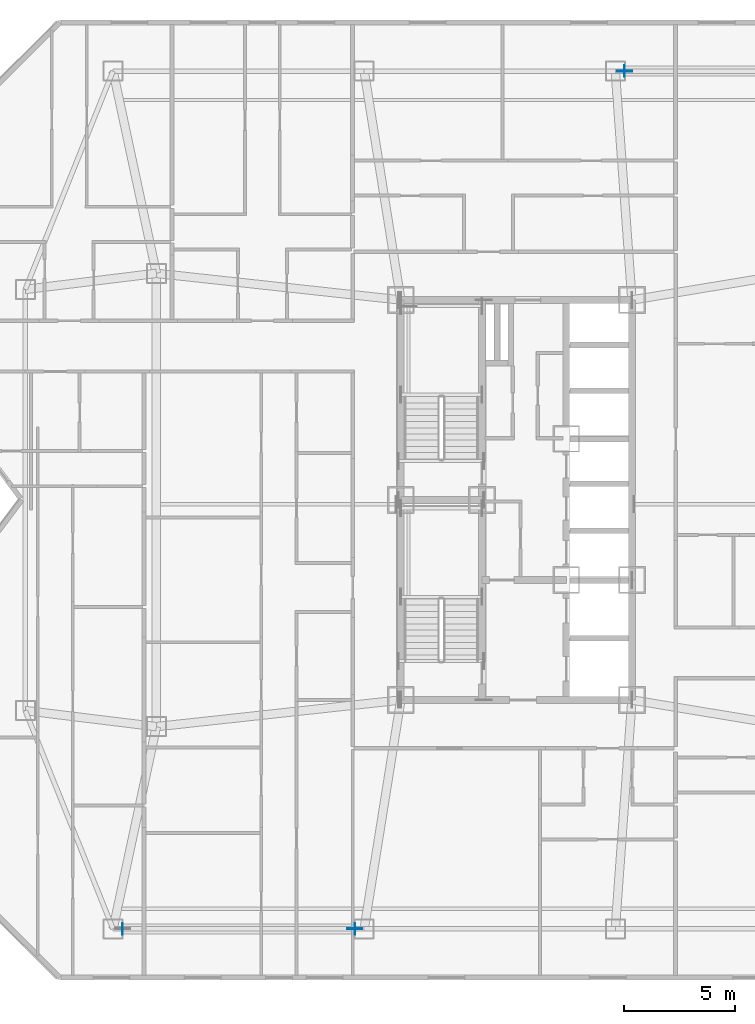
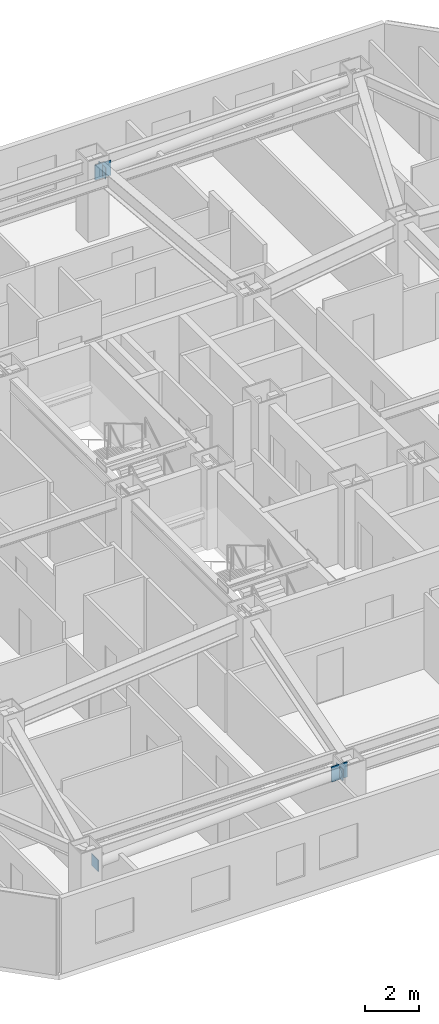
# One storey, part 5 of 16: 5 plates.
"""IFC4 building model written with IfcOpenShell, lengths in metres."""

from ifc_helpers import new_model, si_unit, direction, frame, origin, origin_2d, place, context, subcontext, project, spatial, rectangle, extrude, material, layer, layer_set, type_object, element, save


model = new_model("IFC4")

# Units and contexts
model_context = context("Model", 3, precision=1e-05, world=origin(), true_north=direction((0.0, 1.0)))
body_context = subcontext(model_context, "Body", "Model", "MODEL_VIEW")
ifc_project = project(units=[si_unit("LENGTHUNIT", "METRE"), si_unit("AREAUNIT", "SQUARE_METRE"), si_unit("VOLUMEUNIT", "CUBIC_METRE"), si_unit("PLANEANGLEUNIT", "RADIAN"), si_unit("MASSUNIT", "GRAM", prefix="KILO")], contexts=[model_context])

# Site, building, storey
site_placement = place(None, origin())
site = spatial("IfcSite", under=ifc_project, at=site_placement, CompositionType="ELEMENT")
building_placement = place(site_placement, origin())
building = spatial("IfcBuilding", under=site, at=building_placement, Name="Khamvora Tower", CompositionType="ELEMENT")
storey_placement = place(building_placement, frame((0.0, 0.0, 134.75)))
storey = spatial("IfcBuildingStorey", under=building, at=storey_placement, Name="L34", CompositionType="ELEMENT", Elevation=134.75)

# Plates
ifc_material_1 = material(Name="Steel S355", Category="steel")
ifc_layer_1 = layer(ifc_material_1, 0.02490234375)
ifc_layer_set_1 = layer_set([ifc_layer_1], Name="Steel S355")
plate_type_1 = type_object("IfcPlateType", Name="PL-CAP-25", PredefinedType="SHEET", material=ifc_layer_set_1)
for number, where, z_axis, x_axis, name in (
    (1, (16.468017578125, 8.699951171875, 2.4384765625), (0.0, 0.0, 1.0), (1.0, 0.0, 0.0), "L34 hollow section steel end cap plate 0780"),
    (2, (26.931884765625, 8.699951171875, 2.886474609375), (0.0, 0.0, 1.0), (1.0, 0.0, 0.0), "L34 hollow section steel end cap plate 0781"),
    (3, (39.068115234375, 47.300048828125, 2.4384765625), (0.0, 0.0, 1.0), (1.0, 0.0, 0.0), "L34 hollow section steel end cap plate 0782"),
):
    element("IfcPlate", number, at=place(storey_placement, frame(where, z_axis=z_axis, x_axis=x_axis)), inside=storey, type_object=plate_type_1, Name=name, PredefinedType="SHEET", context=body_context, shape_type="SweptSolid", body=[
        extrude(rectangle(XDim=0.02490234375, YDim=0.51708984375, at=origin_2d()), origin(), (0.0, 0.0, 1.0), 0.51708984375),
    ])
ifc_material_2 = material(Name="Steel S460", Category="steel")
ifc_layer_2 = layer(ifc_material_2, 0.0400390625)
ifc_layer_set_2 = layer_set([ifc_layer_2], Name="Steel S460")
plate_type_2 = type_object("IfcPlateType", Name="PLT-GUS-40", PredefinedType="SHEET", material=ifc_layer_set_2)
for number, where, z_axis, x_axis, name in (
    (4, (26.919921875, 8.699951171875, 2.80419921875), (0.0, 0.0, 1.0), (1.0, 0.0, 0.0), "L34 brace connection node gusset plate 0214"),
    (5, (39.080078125, 47.300048828125, 2.35791015625), (0.0, 0.0, 1.0), (1.0, 0.0, 0.0), "L34 brace connection node gusset plate 0215"),
):
    element("IfcPlate", number, at=place(storey_placement, frame(where, z_axis=z_axis, x_axis=x_axis)), inside=storey, type_object=plate_type_2, Name=name, PredefinedType="SHEET", context=body_context, shape_type="SweptSolid", body=[
        extrude(rectangle(XDim=0.679931640625, YDim=0.0400390625, at=origin_2d()), origin(), (0.0, 0.0, 1.0), 0.679931640625),
    ])

save(model, "model.ifc")
